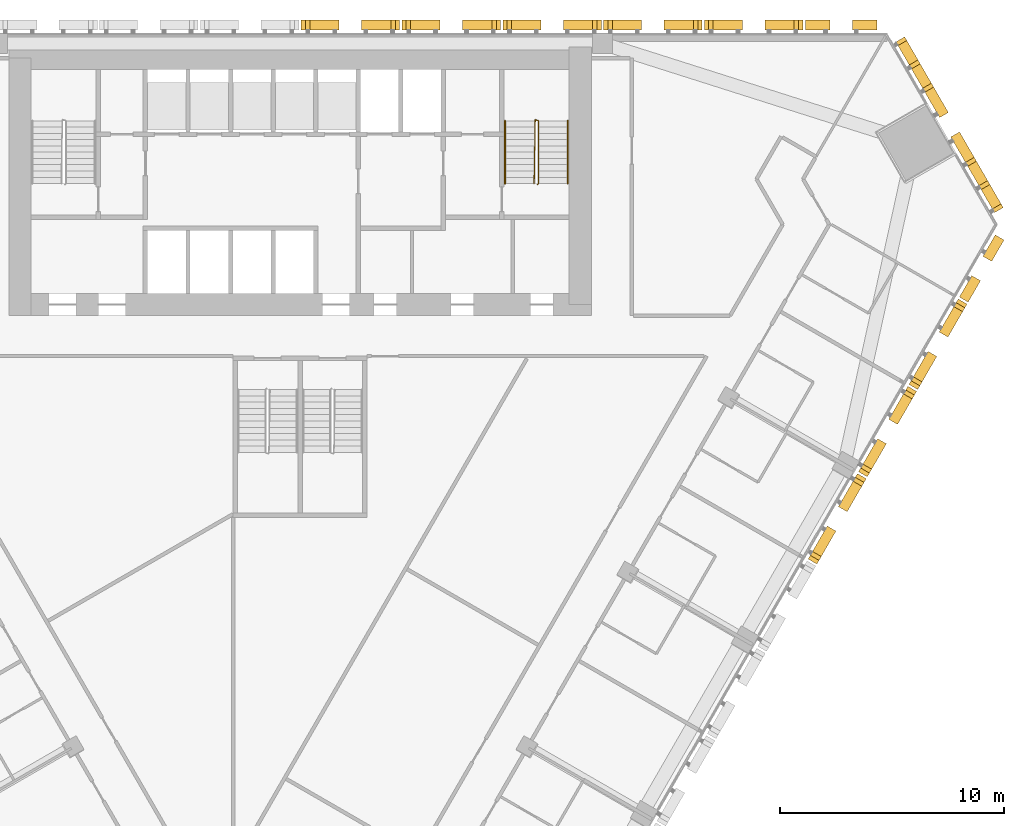
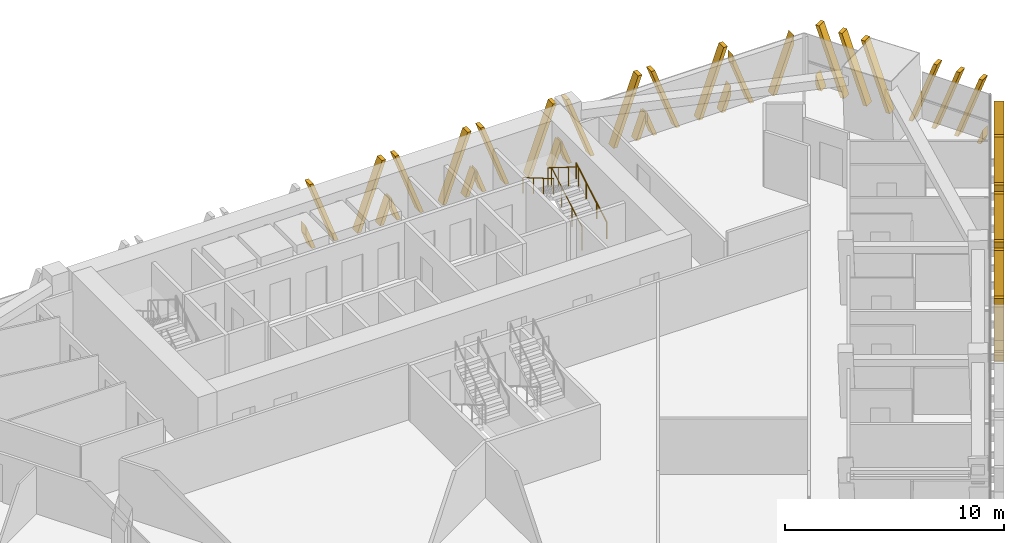
# One storey, part 17 of 18: 11 shading devices, 3 railings.
"""IFC4 building model written with IfcOpenShell, lengths in metres."""

from ifc_helpers import new_model, si_unit, direction, frame, origin, origin_2d, place, context, subcontext, project, spatial, polyline, circle, outline, extrude, source, transform, mapped, material, type_object, element, save


model = new_model("IFC4")

# Units and contexts
model_context = context("Model", 3, precision=1e-05, world=origin(), true_north=direction((0.0, 1.0)))
body_context = subcontext(model_context, "Body", "Model", "MODEL_VIEW")
ifc_project = project(units=[si_unit("LENGTHUNIT", "METRE"), si_unit("AREAUNIT", "SQUARE_METRE"), si_unit("VOLUMEUNIT", "CUBIC_METRE"), si_unit("PLANEANGLEUNIT", "RADIAN"), si_unit("MASSUNIT", "GRAM", prefix="KILO")], contexts=[model_context])

# Site, building, storey
site_placement = place(None, origin())
site = spatial("IfcSite", under=ifc_project, at=site_placement, CompositionType="ELEMENT")
building_placement = place(site_placement, origin())
building = spatial("IfcBuilding", under=site, at=building_placement, Name="Altiplano Prism Tower", CompositionType="ELEMENT")
storey_placement = place(building_placement, frame((0.0, 0.0, 34.199951171875)))
storey = spatial("IfcBuildingStorey", under=building, at=storey_placement, Name="L07", CompositionType="ELEMENT", Elevation=34.199951171875)

# Railings
ifc_material_1 = material(Name="Steel S355", Category="steel")
railing_type_1 = type_object("IfcRailingType", Name="Stair guard 1100", PredefinedType="GUARDRAIL", material=ifc_material_1)
railing_1_placement = place(storey_placement, frame((95.60009765625, 98.25, 0.0)))
element("IfcRailing", 1, at=railing_1_placement, inside=storey, type_object=railing_type_1, Name="L07 ST2 stair guard 1", PredefinedType="GUARDRAIL", context=body_context, shape_type="SweptSolid", body=[
    extrude(circle(Radius=0.02392578125, at=origin_2d()), frame((0.0, 0.0, 1.076171875), z_axis=(0.279546231943, 0.280916556609, 0.91811752648), x_axis=(-0.708833529934, 0.705375805398, 0.0)), (0.0, 0.0, 1.0), 0.17822265625),
    extrude(circle(Radius=0.02392578125, at=origin_2d()), frame((0.0498046875, 0.050048828125, 1.23974609375), z_axis=(0.0, 0.863360870873, 0.504586966384), x_axis=(-1.0, 0.0, 0.0)), (0.0, 0.0, 1.0), 3.2431640625),
    extrude(circle(Radius=0.02392578125, at=origin_2d()), frame((0.0498046875, 2.85009765625, 2.8759765625), z_axis=(-0.948991962702, 0.315300261223, 0.0), x_axis=(-0.315300261223, -0.948991962702, 0.0)), (0.0, 0.0, 1.0), 0.157958984375),
    extrude(circle(Radius=0.02392578125, at=origin_2d()), frame((-0.10009765625, 2.89990234375, 2.8759765625), z_axis=(-0.014846418356, -0.845376787675, 0.533964109957), x_axis=(0.999845825584, -0.017559187376, 0.0)), (0.0, 0.0, 1.0), 3.37109375),
    extrude(circle(Radius=0.02099609375, at=origin_2d()), origin(), (0.0, 0.0, 1.0), 1.052001953125),
    extrude(circle(Radius=0.02099609375, at=origin_2d()), frame((0.0498046875, 0.050048828125, 0.16357421875)), (0.0, 0.0, 1.0), 1.052001953125),
    extrude(circle(Radius=0.02099609375, at=origin_2d()), frame((0.0498046875, 0.9833984375, 0.708984375)), (0.0, 0.0, 1.0), 1.052001953125),
    extrude(circle(Radius=0.02099609375, at=origin_2d()), frame((0.0498046875, 1.916748046875, 1.254638671875)), (0.0, 0.0, 1.0), 1.052001953125),
    extrude(circle(Radius=0.02099609375, at=origin_2d()), frame((0.0498046875, 2.85009765625, 1.800048828125)), (0.0, 0.0, 1.0), 1.052001953125),
    extrude(circle(Radius=0.02099609375, at=origin_2d()), frame((-0.10009765625, 2.89990234375, 1.800048828125)), (0.0, 0.0, 1.0), 1.052001953125),
    extrude(circle(Radius=0.02099609375, at=origin_2d()), frame((-0.11669921875, 1.949951171875, 2.400146484375)), (0.0, 0.0, 1.0), 1.052001953125),
    extrude(circle(Radius=0.02099609375, at=origin_2d()), frame((-0.133544921875, 1.0, 3.0)), (0.0, 0.0, 1.0), 1.052001953125),
    extrude(circle(Radius=0.02099609375, at=origin_2d()), frame((-0.150146484375, 0.050048828125, 3.60009765625)), (0.0, 0.0, 1.0), 1.052001953125),
])
railing_type_2 = type_object("IfcRailingType", Name="Stair handrail 900", PredefinedType="HANDRAIL", material=ifc_material_1)
railing_2_placement = place(storey_placement, frame((96.949951171875, 98.300048828125, 0.16357421875)))
element("IfcRailing", 2, at=railing_2_placement, inside=storey, type_object=railing_type_2, Name="L07 ST2 stair handrail 1", PredefinedType="HANDRAIL", context=body_context, shape_type="SweptSolid", body=[
    extrude(circle(Radius=0.02392578125, at=origin_2d()), frame((0.0, 0.0, 0.8759765625), z_axis=(0.0, 0.863360870873, 0.504586966384), x_axis=(-1.0, 0.0, 0.0)), (0.0, 0.0, 1.0), 3.2431640625),
    extrude(circle(Radius=0.02099609375, at=origin_2d()), origin(), (0.0, 0.0, 1.0), 0.851806640625),
    extrude(circle(Radius=0.02099609375, at=origin_2d()), frame((0.0, 0.933349609375, 0.54541015625)), (0.0, 0.0, 1.0), 0.851806640625),
    extrude(circle(Radius=0.02099609375, at=origin_2d()), frame((0.0, 1.86669921875, 1.091064453125)), (0.0, 0.0, 1.0), 0.851806640625),
    extrude(circle(Radius=0.02099609375, at=origin_2d()), frame((0.0, 2.800048828125, 1.636474609375)), (0.0, 0.0, 1.0), 0.851806640625),
])
railing_3_placement = place(storey_placement, frame((94.14990234375, 101.10009765625, 1.963623046875)))
element("IfcRailing", 3, at=railing_3_placement, inside=storey, type_object=railing_type_2, Name="L07 ST2 stair handrail 2", PredefinedType="HANDRAIL", context=body_context, shape_type="SweptSolid", body=[
    extrude(circle(Radius=0.02392578125, at=origin_2d()), frame((0.0, 0.0, 0.8759765625), z_axis=(0.0, -0.863360870873, 0.504586966384), x_axis=(1.0, 0.0, 0.0)), (0.0, 0.0, 1.0), 3.2431640625),
    extrude(circle(Radius=0.02099609375, at=origin_2d()), origin(), (0.0, 0.0, 1.0), 0.851806640625),
    extrude(circle(Radius=0.02099609375, at=origin_2d()), frame((0.0, -0.933349609375, 0.54541015625)), (0.0, 0.0, 1.0), 0.851806640625),
    extrude(circle(Radius=0.02099609375, at=origin_2d()), frame((0.0, -1.86669921875, 1.091064453125)), (0.0, 0.0, 1.0), 0.851806640625),
    extrude(circle(Radius=0.02099609375, at=origin_2d()), frame((0.0, -2.800048828125, 1.636474609375)), (0.0, 0.0, 1.0), 0.851806640625),
])

# Shading devices
ifc_material_2 = material(Name="Warm limestone cast stone", Category="masonry")
shading_device_type_1 = type_object("IfcShadingDeviceType", Name="Stone fin panel, narrow closing bay", PredefinedType="USERDEFINED", material=ifc_material_2)
shared_shape_1 = source(origin(), body_context, "Body", "SweptSolid", [
    extrude(outline(polyline([(-1.60009765625, 3.022216796875), (-1.60009765625, 2.47265625), (-0.699951171875, 0.0), (-0.5, 0.0), (-1.60009765625, 3.022216796875)])), frame((0.0, -0.14990234375, 0.0), z_axis=(0.0, -1.0, 0.0), x_axis=(1.0, 0.0, 0.0)), (0.0, 0.0, 1.0), 0.4501953125),
    extrude(outline(polyline([(1.60009765625, 2.47265625), (1.60009765625, 3.022216796875), (0.5, 0.0), (0.699951171875, 0.0), (1.60009765625, 2.47265625)])), frame((0.0, -0.14990234375, 0.0), z_axis=(0.0, -1.0, 0.0), x_axis=(1.0, 0.0, 0.0)), (0.0, 0.0, 1.0), 0.4501953125),
])
shading_device_1_placement = place(storey_placement, origin())
element("IfcShadingDevice", 4, at=shading_device_1_placement, inside=storey, type_object=shading_device_type_1, Name="Fin L07 north face 1", ObjectType="FIN", PredefinedType="USERDEFINED", context=body_context, shape_type="MappedRepresentation", body=[
    mapped(shared_shape_1, transform((109.153564453125, 105.0, -0.5), x_axis=(-1.0, 0.0, 0.0), y_axis=(0.0, -1.0, 0.0), z_axis=(0.0, 0.0, 1.0))),
])
shading_device_2_placement = place(storey_placement, origin())
element("IfcShadingDevice", 5, at=shading_device_2_placement, inside=storey, type_object=shading_device_type_1, Name="Fin L07 south-east face 12", ObjectType="FIN", PredefinedType="USERDEFINED", context=body_context, shape_type="MappedRepresentation", body=[
    mapped(shared_shape_1, transform((115.103271484375, 94.694580078125, -0.5), x_axis=(0.499999989059, 0.866025410101, 0.0), y_axis=(-0.866025410101, 0.499999989059, 0.0), z_axis=(0.0, 0.0, 1.0))),
])
shading_device_type_2 = type_object("IfcShadingDeviceType", Name="Stone fin panel, standard unit", PredefinedType="USERDEFINED", material=ifc_material_2)
shared_shape_2 = source(origin(), body_context, "Body", "SweptSolid", [
    extrude(outline(polyline([(-2.199951171875, 1.373779296875), (-2.199951171875, 0.82421875), (-1.89990234375, 0.0), (-1.699951171875, 0.0), (-2.199951171875, 1.373779296875)])), frame((0.0, -0.14990234375, 0.0), z_axis=(0.0, -1.0, 0.0), x_axis=(1.0, 0.0, 0.0)), (0.0, 0.0, 1.0), 0.4501953125),
    extrude(outline(polyline([(-2.01025390625, 3.60009765625), (-0.699951171875, 0.0), (-0.5, 0.0), (-1.810302734375, 3.60009765625), (-2.01025390625, 3.60009765625)])), frame((0.0, -0.14990234375, 0.0), z_axis=(0.0, -1.0, 0.0), x_axis=(1.0, 0.0, 0.0)), (0.0, 0.0, 1.0), 0.4501953125),
    extrude(outline(polyline([(1.810302734375, 3.60009765625), (0.5, 0.0), (0.699951171875, 0.0), (2.01025390625, 3.60009765625), (1.810302734375, 3.60009765625)])), frame((0.0, -0.14990234375, 0.0), z_axis=(0.0, -1.0, 0.0), x_axis=(1.0, 0.0, 0.0)), (0.0, 0.0, 1.0), 0.4501953125),
    extrude(outline(polyline([(2.199951171875, 0.82421875), (2.199951171875, 1.373779296875), (1.699951171875, 0.0), (1.89990234375, 0.0), (2.199951171875, 0.82421875)])), frame((0.0, -0.14990234375, 0.0), z_axis=(0.0, -1.0, 0.0), x_axis=(1.0, 0.0, 0.0)), (0.0, 0.0, 1.0), 0.4501953125),
])
shading_device_3_placement = place(storey_placement, origin())
element("IfcShadingDevice", 6, at=shading_device_3_placement, inside=storey, type_object=shading_device_type_2, Name="Fin L07 north face 2", ObjectType="FIN", PredefinedType="USERDEFINED", context=body_context, shape_type="MappedRepresentation", body=[
    mapped(shared_shape_2, transform((105.25, 105.0, -0.5), x_axis=(-1.0, 0.0, 0.0), y_axis=(0.0, -1.0, 0.0), z_axis=(0.0, 0.0, 1.0))),
])
shading_device_4_placement = place(storey_placement, origin())
element("IfcShadingDevice", 7, at=shading_device_4_placement, inside=storey, type_object=shading_device_type_2, Name="Fin L07 north face 3", ObjectType="FIN", PredefinedType="USERDEFINED", context=body_context, shape_type="MappedRepresentation", body=[
    mapped(shared_shape_2, transform((100.75, 105.0, -0.5), x_axis=(-1.0, 0.0, 0.0), y_axis=(0.0, -1.0, 0.0), z_axis=(0.0, 0.0, 1.0))),
])
shading_device_5_placement = place(storey_placement, origin())
element("IfcShadingDevice", 8, at=shading_device_5_placement, inside=storey, type_object=shading_device_type_2, Name="Fin L07 north face 4", ObjectType="FIN", PredefinedType="USERDEFINED", context=body_context, shape_type="MappedRepresentation", body=[
    mapped(shared_shape_2, transform((96.25, 105.0, -0.5), x_axis=(-1.0, 0.0, 0.0), y_axis=(0.0, -1.0, 0.0), z_axis=(0.0, 0.0, 1.0))),
])
shading_device_6_placement = place(storey_placement, origin())
element("IfcShadingDevice", 9, at=shading_device_6_placement, inside=storey, type_object=shading_device_type_2, Name="Fin L07 north face 5", ObjectType="FIN", PredefinedType="USERDEFINED", context=body_context, shape_type="MappedRepresentation", body=[
    mapped(shared_shape_2, transform((91.75, 105.0, -0.5), x_axis=(-1.0, 0.0, 0.0), y_axis=(0.0, -1.0, 0.0), z_axis=(0.0, 0.0, 1.0))),
])
shading_device_7_placement = place(storey_placement, origin())
element("IfcShadingDevice", 10, at=shading_device_7_placement, inside=storey, type_object=shading_device_type_2, Name="Fin L07 north face 6", ObjectType="FIN", PredefinedType="USERDEFINED", context=body_context, shape_type="MappedRepresentation", body=[
    mapped(shared_shape_2, transform((87.25, 105.0, -0.5), x_axis=(-1.0, 0.0, 0.0), y_axis=(0.0, -1.0, 0.0), z_axis=(0.0, 0.0, 1.0))),
])
shading_device_8_placement = place(storey_placement, origin())
element("IfcShadingDevice", 11, at=shading_device_8_placement, inside=storey, type_object=shading_device_type_2, Name="Fin L07 south-east face 9", ObjectType="FIN", PredefinedType="USERDEFINED", context=body_context, shape_type="MappedRepresentation", body=[
    mapped(shared_shape_2, transform((108.651611328125, 83.519775390625, -0.5), x_axis=(0.499999989059, 0.866025410101, 0.0), y_axis=(-0.866025410101, 0.499999989059, 0.0), z_axis=(0.0, 0.0, 1.0))),
])
shading_device_9_placement = place(storey_placement, origin())
element("IfcShadingDevice", 12, at=shading_device_9_placement, inside=storey, type_object=shading_device_type_2, Name="Fin L07 south-east face 10", ObjectType="FIN", PredefinedType="USERDEFINED", context=body_context, shape_type="MappedRepresentation", body=[
    mapped(shared_shape_2, transform((110.901611328125, 87.4169921875, -0.5), x_axis=(0.499999989059, 0.866025410101, 0.0), y_axis=(-0.866025410101, 0.499999989059, 0.0), z_axis=(0.0, 0.0, 1.0))),
])
shading_device_10_placement = place(storey_placement, origin())
element("IfcShadingDevice", 13, at=shading_device_10_placement, inside=storey, type_object=shading_device_type_2, Name="Fin L07 south-east face 11", ObjectType="FIN", PredefinedType="USERDEFINED", context=body_context, shape_type="MappedRepresentation", body=[
    mapped(shared_shape_2, transform((113.151611328125, 91.314208984375, -0.5), x_axis=(0.499999989059, 0.866025410101, 0.0), y_axis=(-0.866025410101, 0.499999989059, 0.0), z_axis=(0.0, 0.0, 1.0))),
])
shading_device_type_3 = type_object("IfcShadingDeviceType", Name="Stone fin panel, chamfer unit", PredefinedType="USERDEFINED", material=ifc_material_2)
shared_shape_3 = source(origin(), body_context, "Body", "SweptSolid", [
    extrude(outline(polyline([(-4.39990234375, 3.60009765625), (-4.39990234375, 3.57177734375), (-3.10009765625, 0.0), (-2.89990234375, 0.0), (-4.210205078125, 3.60009765625), (-4.39990234375, 3.60009765625)])), frame((0.0, -0.14990234375, 0.0), z_axis=(0.0, -1.0, 0.0), x_axis=(1.0, 0.0, 0.0)), (0.0, 0.0, 1.0), 0.4501953125),
    extrude(outline(polyline([(-4.39990234375, 0.82421875), (-4.39990234375, 0.274658203125), (-4.300048828125, 0.0), (-4.10009765625, 0.0), (-4.39990234375, 0.82421875)])), frame((0.0, -0.14990234375, 0.0), z_axis=(0.0, -1.0, 0.0), x_axis=(1.0, 0.0, 0.0)), (0.0, 0.0, 1.0), 0.4501953125),
    extrude(outline(polyline([(-3.210205078125, 3.60009765625), (-1.89990234375, 0.0), (-1.699951171875, 0.0), (-3.01025390625, 3.60009765625), (-3.210205078125, 3.60009765625)])), frame((0.0, -0.14990234375, 0.0), z_axis=(0.0, -1.0, 0.0), x_axis=(1.0, 0.0, 0.0)), (0.0, 0.0, 1.0), 0.4501953125),
    extrude(outline(polyline([(-2.01025390625, 3.60009765625), (-0.699951171875, 0.0), (-0.5, 0.0), (-1.810302734375, 3.60009765625), (-2.01025390625, 3.60009765625)])), frame((0.0, -0.14990234375, 0.0), z_axis=(0.0, -1.0, 0.0), x_axis=(1.0, 0.0, 0.0)), (0.0, 0.0, 1.0), 0.4501953125),
    extrude(outline(polyline([(1.810302734375, 3.60009765625), (0.5, 0.0), (0.699951171875, 0.0), (2.01025390625, 3.60009765625), (1.810302734375, 3.60009765625)])), frame((0.0, -0.14990234375, 0.0), z_axis=(0.0, -1.0, 0.0), x_axis=(1.0, 0.0, 0.0)), (0.0, 0.0, 1.0), 0.4501953125),
    extrude(outline(polyline([(3.01025390625, 3.60009765625), (1.699951171875, 0.0), (1.89990234375, 0.0), (3.210205078125, 3.60009765625), (3.01025390625, 3.60009765625)])), frame((0.0, -0.14990234375, 0.0), z_axis=(0.0, -1.0, 0.0), x_axis=(1.0, 0.0, 0.0)), (0.0, 0.0, 1.0), 0.4501953125),
    extrude(outline(polyline([(4.210205078125, 3.60009765625), (2.89990234375, 0.0), (3.10009765625, 0.0), (4.39990234375, 3.57177734375), (4.39990234375, 3.60009765625), (4.210205078125, 3.60009765625)])), frame((0.0, -0.14990234375, 0.0), z_axis=(0.0, -1.0, 0.0), x_axis=(1.0, 0.0, 0.0)), (0.0, 0.0, 1.0), 0.4501953125),
    extrude(outline(polyline([(4.39990234375, 0.274658203125), (4.39990234375, 0.82421875), (4.10009765625, 0.0), (4.300048828125, 0.0), (4.39990234375, 0.274658203125)])), frame((0.0, -0.14990234375, 0.0), z_axis=(0.0, -1.0, 0.0), x_axis=(1.0, 0.0, 0.0)), (0.0, 0.0, 1.0), 0.4501953125),
])
shading_device_11_placement = place(storey_placement, origin())
element("IfcShadingDevice", 14, at=shading_device_11_placement, inside=storey, type_object=shading_device_type_3, Name="Fin L07 north-east chamfer 1", ObjectType="FIN", PredefinedType="USERDEFINED", context=body_context, shape_type="MappedRepresentation", body=[
    mapped(shared_shape_3, transform((113.66845703125, 100.736572265625, -0.5), x_axis=(-0.49999992772, 0.866025445515, 0.0), y_axis=(-0.866025445515, -0.49999992772, 0.0), z_axis=(0.0, 0.0, 1.0))),
])

save(model, "model.ifc")
